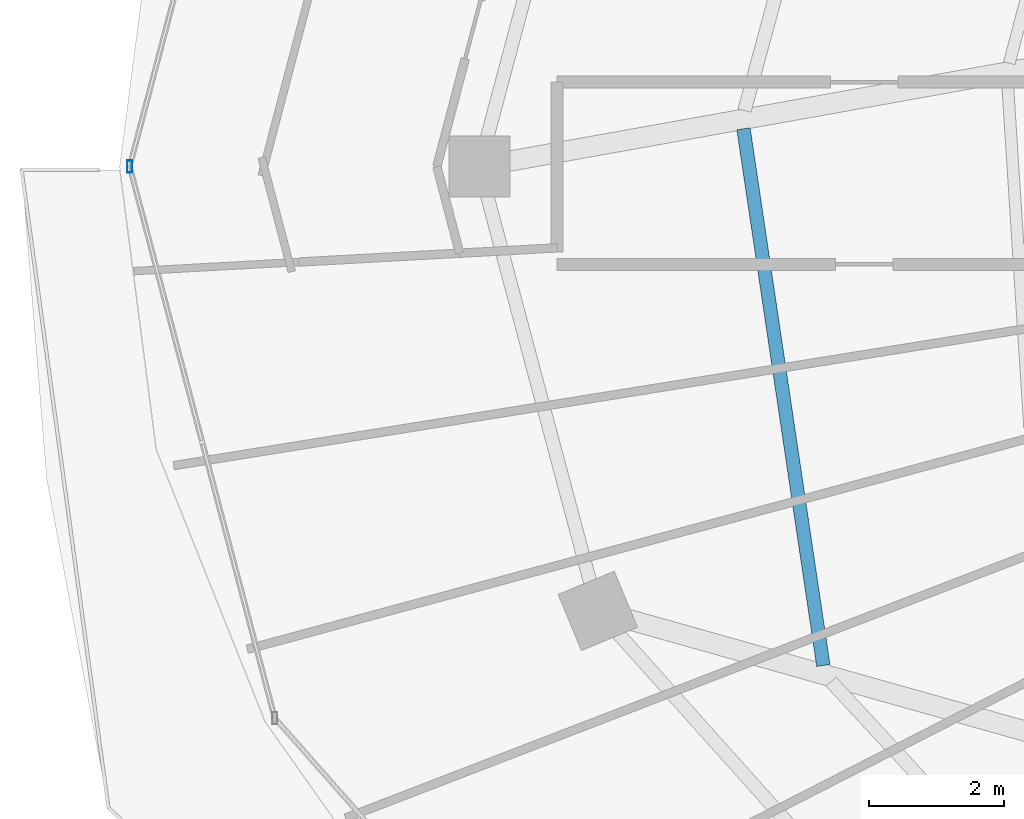
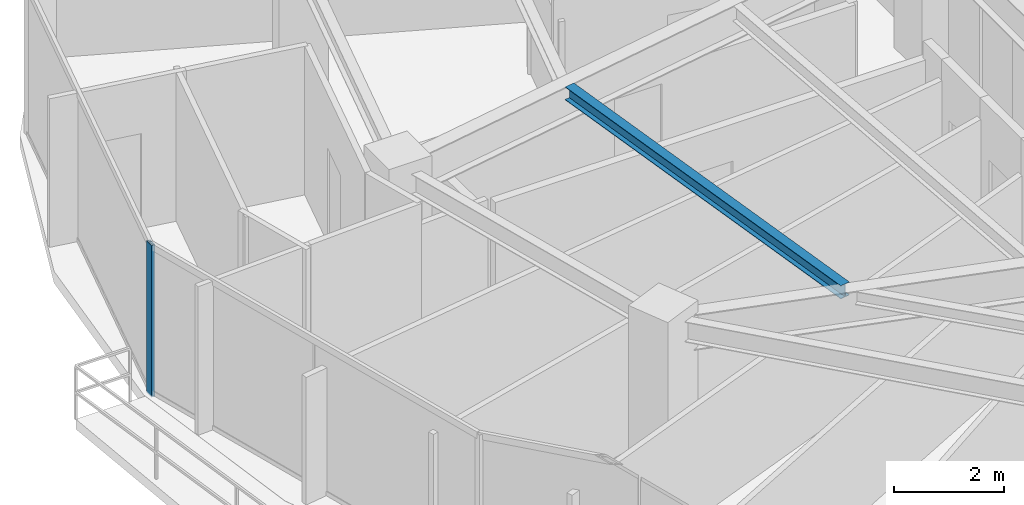
# One storey, part 7 of 33: 1 beam, 1 member, 1 element without a shape of its own.
"""IFC4 building model written with IfcOpenShell, lengths in metres."""

from ifc_helpers import new_model, si_unit, direction, frame, origin, origin_2d, place, context, subcontext, project, spatial, hollow_rectangle, i_section, extrude, material, material_profile, profile_set, type_object, element, aggregate, save


model = new_model("IFC4")

# Units and contexts
model_context = context("Model", 3, precision=1e-05, world=origin(), true_north=direction((0.0, 1.0)))
body_context = subcontext(model_context, "Body", "Model", "MODEL_VIEW")
ifc_project = project(units=[si_unit("LENGTHUNIT", "METRE"), si_unit("AREAUNIT", "SQUARE_METRE"), si_unit("VOLUMEUNIT", "CUBIC_METRE"), si_unit("PLANEANGLEUNIT", "RADIAN"), si_unit("MASSUNIT", "GRAM", prefix="KILO")], contexts=[model_context])

# Site, building, storey
site_placement = place(None, origin())
site = spatial("IfcSite", under=ifc_project, at=site_placement, CompositionType="ELEMENT")
building_placement = place(site_placement, origin())
building = spatial("IfcBuilding", under=site, at=building_placement, Name="Vorneva Point Tower", CompositionType="ELEMENT")
storey_placement = place(building_placement, frame((0.0, 0.0, 217.85009765625)))
storey = spatial("IfcBuildingStorey", under=building, at=storey_placement, Name="L59", CompositionType="ELEMENT", Elevation=217.85009765625)

# Beam
ifc_material_1 = material(Name="Steel S355", Category="steel")
ifc_material_profile_1 = material_profile(ifc_material_1, i_section(OverallWidth=0.199951171875, OverallDepth=0.291015625, WebThickness=0.008056640625, FlangeThickness=0.010986328125, at=origin_2d()), Name="30Sh1")
ifc_profile_set_1 = profile_set([ifc_material_profile_1], Name="Steel S355")
beam_type = type_object("IfcBeamType", Name="BM-SEC-30Sh1", PredefinedType="BEAM", material=ifc_profile_set_1)
beam_placement = place(storey_placement, frame((18.86181640625, 26.5595703125, 3.144287109375), z_axis=(0.147176019299, -0.989110317074, 0.0), x_axis=(0.989110317074, 0.147176019299, 0.0)))
element("IfcBeam", 1, at=beam_placement, inside=storey, type_object=beam_type, Name="L59 Secondary Floor Beam 1.09", PredefinedType="BEAM", context=body_context, shape_type="SweptSolid", body=[
    extrude(i_section(OverallWidth=0.199951171875, OverallDepth=0.291015625, WebThickness=0.008056640625, FlangeThickness=0.010986328125, at=origin_2d()), origin(), (0.0, 0.0, 1.0), 8.038818359375),
])

# Curtain wall, member
ifc_material_2 = material(Name="Pale anodised aluminium", Category="aluminium")
curtain_wall_type = type_object("IfcCurtainWallType", Name="CW-RES-SYS", PredefinedType="NOTDEFINED", material=ifc_material_2)
curtain_wall_placement = place(storey_placement, origin())
curtain_wall = element("IfcCurtainWall", 2, at=curtain_wall_placement, inside=storey, type_object=curtain_wall_type, Name="L59 Unitised Curtain Wall CW-L59-R02", PredefinedType="NOTDEFINED")
ifc_material_profile_2 = material_profile(ifc_material_2, hollow_rectangle(XDim=0.074951171875, YDim=0.179931640625, WallThickness=0.00390625, at=origin_2d()), Name="AL-MUL 180x75x4")
ifc_profile_set_2 = profile_set([ifc_material_profile_2], Name="Pale anodised aluminium")
member_type = type_object("IfcMemberType", Name="CW-MUL-180", PredefinedType="MULLION", material=ifc_profile_set_2)
member_placement = place(storey_placement, frame((9.77001953125, 26.0, -0.0400390625), z_axis=(0.0, 0.0, 1.0), x_axis=(1.0, 0.0, 0.0)))
member = element("IfcMember", 3, at=member_placement, type_object=member_type, Name="CW-L59-R02 Mullion 03", PredefinedType="MULLION", context=body_context, shape_type="SweptSolid", body=[
    extrude(hollow_rectangle(XDim=0.074951171875, YDim=0.179931640625, WallThickness=0.00390625, at=origin_2d()), origin(), (0.0, 0.0, 1.0), 3.35986328125),
])
aggregate(curtain_wall, [member])

save(model, "model.ifc")
